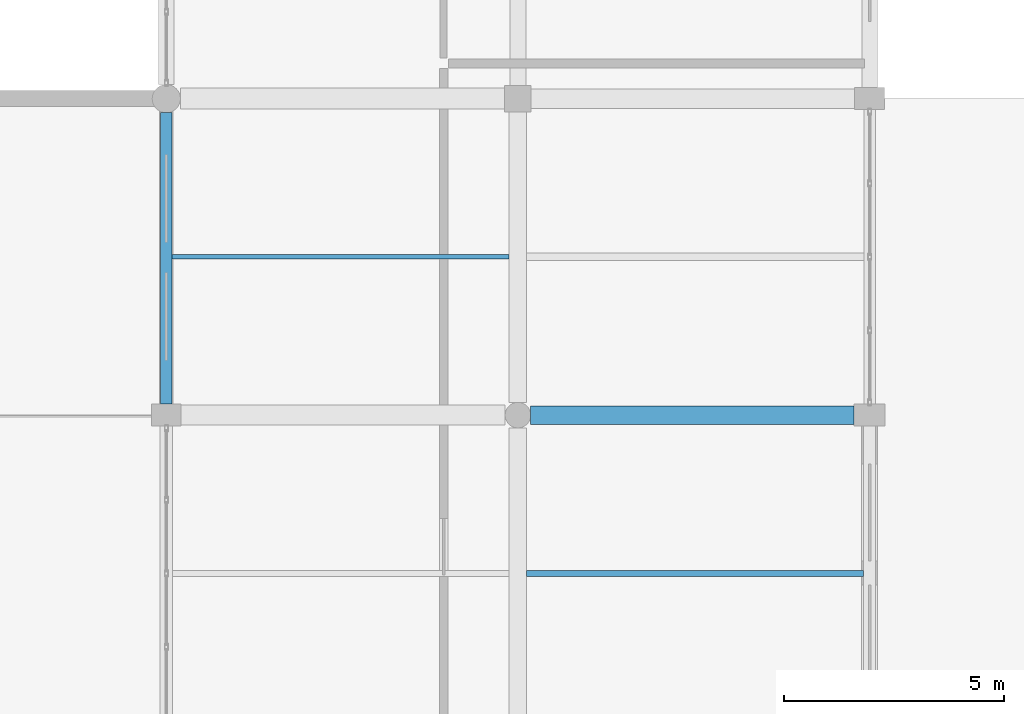
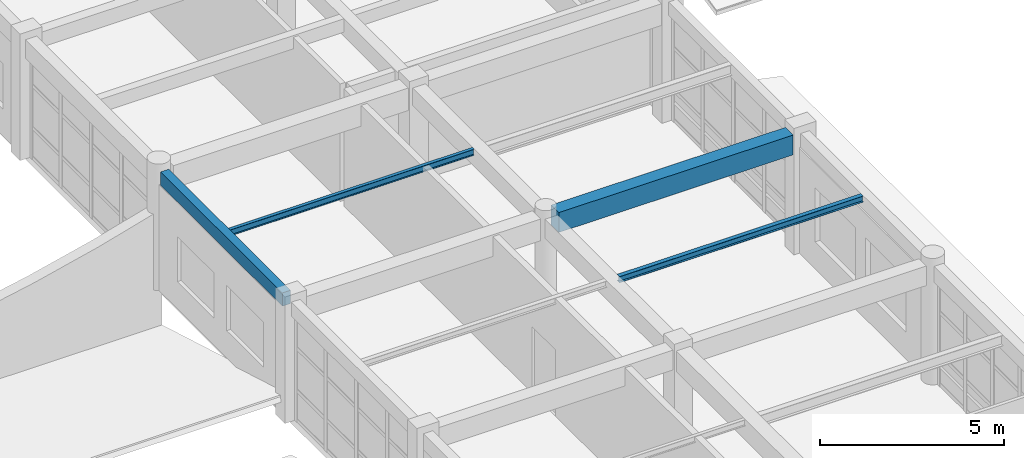
# One storey, part 51 of 121: 4 beams.
"""IFC4 building model written with IfcOpenShell, lengths in metres."""

from ifc_helpers import new_model, si_unit, direction, frame, origin, origin_2d, place, context, subcontext, project, spatial, rectangle, i_section, extrude, material, material_profile, profile_set, type_object, element, save


model = new_model("IFC4")

# Units and contexts
model_context = context("Model", 3, precision=1e-05, world=origin(), true_north=direction((0.0, 1.0)))
body_context = subcontext(model_context, "Body", "Model", "MODEL_VIEW")
ifc_project = project(units=[si_unit("LENGTHUNIT", "METRE"), si_unit("AREAUNIT", "SQUARE_METRE"), si_unit("VOLUMEUNIT", "CUBIC_METRE"), si_unit("PLANEANGLEUNIT", "RADIAN"), si_unit("MASSUNIT", "GRAM", prefix="KILO")], contexts=[model_context])

# Site, building, storey
site_placement = place(None, origin())
site = spatial("IfcSite", under=ifc_project, at=site_placement, CompositionType="ELEMENT")
building_placement = place(site_placement, origin())
building = spatial("IfcBuilding", under=site, at=building_placement, Name="Kharva Crest Polytechnic", CompositionType="ELEMENT")
storey_placement = place(building_placement, frame((0.0, 0.0, 13.199951171875)))
storey = spatial("IfcBuildingStorey", under=building, at=storey_placement, Name="L03", CompositionType="ELEMENT", Elevation=13.199951171875)

# Beams
ifc_material_1 = material(Name="Concrete C35/45", Category="concrete")
ifc_material_profile_1 = material_profile(ifc_material_1, rectangle(XDim=0.419921875, YDim=0.659912109375, at=origin_2d()), Name="RECT 420 X 660")
ifc_profile_set_1 = profile_set([ifc_material_profile_1], Name="Concrete C35/45")
beam_type_1 = type_object("IfcBeamType", Name="BM-RC-420X660", PredefinedType="BEAM", material=ifc_profile_set_1)
beam_1_placement = place(storey_placement, frame((40.2900390625, 86.0, 3.630126953125), z_axis=(1.0, 0.0, 0.0), x_axis=(0.0, 1.0, 0.0)))
element("IfcBeam", 1, at=beam_1_placement, inside=storey, type_object=beam_type_1, Name="L03 Beam M/6-7", PredefinedType="BEAM", context=body_context, shape_type="SweptSolid", body=[
    extrude(rectangle(XDim=0.419921875, YDim=0.659912109375, at=origin_2d()), origin(), (0.0, 0.0, 1.0), 7.35986328125),
])
ifc_material_2 = material(Name="Steel S355", Category="steel")
ifc_material_profile_2 = material_profile(ifc_material_2, i_section(OverallWidth=0.10205078125, OverallDepth=0.2060546875, WebThickness=0.006103515625, FlangeThickness=0.008056640625, at=origin_2d()), Name="W200X22.5")
ifc_profile_set_2 = profile_set([ifc_material_profile_2], Name="Steel S355")
beam_type_2 = type_object("IfcBeamType", Name="BM-STL-W200X22", PredefinedType="JOIST", material=ifc_profile_set_2)
beam_2_placement = place(storey_placement, frame((32.1298828125, 89.60009765625, 3.85693359375), z_axis=(1.0, 0.0, 0.0), x_axis=(0.0, 1.0, 0.0)))
element("IfcBeam", 2, at=beam_2_placement, inside=storey, type_object=beam_type_2, Name="L03 Floor Joist 11", PredefinedType="JOIST", context=body_context, shape_type="SweptSolid", body=[
    extrude(i_section(OverallWidth=0.10205078125, OverallDepth=0.2060546875, WebThickness=0.006103515625, FlangeThickness=0.008056640625, at=origin_2d()), origin(), (0.0, 0.0, 1.0), 7.670166015625),
])
ifc_material_profile_3 = material_profile(ifc_material_2, i_section(OverallWidth=0.133056640625, OverallDepth=0.20703125, WebThickness=0.005859375, FlangeThickness=0.00830078125, at=origin_2d()), Name="W200X26.6")
ifc_profile_set_3 = profile_set([ifc_material_profile_3], Name="Steel S355")
beam_type_3 = type_object("IfcBeamType", Name="BM-STL-W200X26", PredefinedType="JOIST", material=ifc_profile_set_3)
beam_3_placement = place(storey_placement, frame((40.199951171875, 82.39990234375, 3.8564453125), z_axis=(1.0, 0.0, 0.0), x_axis=(0.0, 1.0, 0.0)))
element("IfcBeam", 3, at=beam_3_placement, inside=storey, type_object=beam_type_3, Name="L03 Floor Joist 10", PredefinedType="JOIST", context=body_context, shape_type="SweptSolid", body=[
    extrude(i_section(OverallWidth=0.133056640625, OverallDepth=0.20703125, WebThickness=0.005859375, FlangeThickness=0.00830078125, at=origin_2d()), origin(), (0.0, 0.0, 1.0), 7.66015625),
])
ifc_material_profile_4 = material_profile(ifc_material_1, rectangle(XDim=0.260009765625, YDim=0.43994140625, at=origin_2d()), Name="RECT 260 X 440")
ifc_profile_set_4 = profile_set([ifc_material_profile_4], Name="Concrete C35/45")
beam_type_4 = type_object("IfcBeamType", Name="SP-RC-260X440", PredefinedType="SPANDREL", material=ifc_profile_set_4)
beam_4_placement = place(storey_placement, frame((32.0, 86.25, 3.739990234375), z_axis=(0.0, 1.0, 0.0), x_axis=(-1.0, 0.0, 0.0)))
element("IfcBeam", 4, at=beam_4_placement, inside=storey, type_object=beam_type_4, Name="L03 Girder 5/M-N", PredefinedType="SPANDREL", context=body_context, shape_type="SweptSolid", body=[
    extrude(rectangle(XDim=0.260009765625, YDim=0.43994140625, at=origin_2d()), origin(), (0.0, 0.0, 1.0), 6.6298828125),
])

save(model, "model.ifc")
